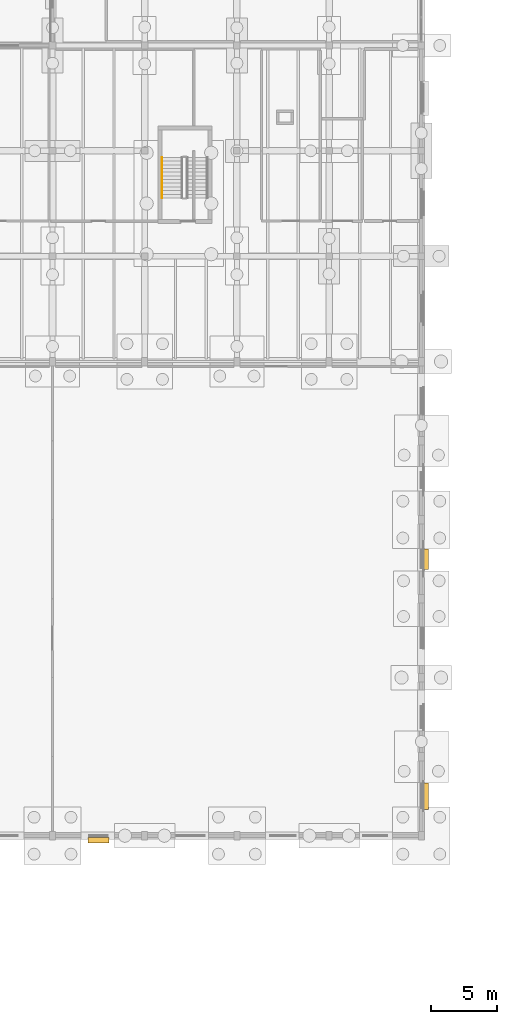
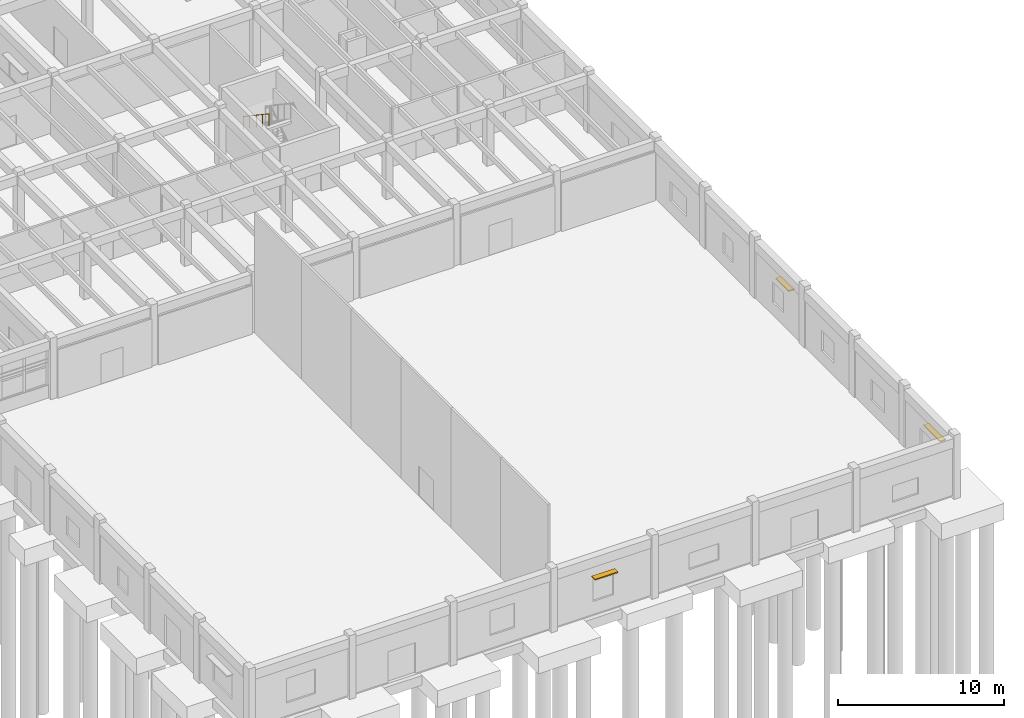
# One storey, part 94 of 99: 3 shading devices, 1 railing.
"""IFC4 building model written with IfcOpenShell, lengths in metres."""

import ifcopenshell
import ifcopenshell.guid

model = None  # the IFC model being written
_history = None  # IfcOwnerHistory: only IFC2X3 demands one
_inside = {}  # id of a spatial element -> (the spatial element, [elements in it])
_under = {}  # id of a project, library or spatial element -> (it, [spatial elements below it])
_declared = {}  # id of a project -> (the project, [libraries it declares])
_typed = {}  # id of a type object -> (the type object, [elements of that type])
_made_of = {}  # id of a material, layer set ... -> (it, [elements and type objects made of it])


def new_model(schema):
    """Start an empty IFC model of exactly this schema.

    Asked for "IFC4X3", IfcOpenShell would pick the latest addendum, in which some entities
    have other attributes; the version numbers below select the first issue.
    IFC2X3 requires an IfcOwnerHistory on every rooted entity: one is made here for all.
    """
    global model, _history
    if schema == "IFC4X3":
        model = ifcopenshell.file(schema_version=(4, 3, 0, 0))
    else:
        model = ifcopenshell.file(schema=schema)
    _inside.clear()
    _under.clear()
    _declared.clear()
    _typed.clear()
    _made_of.clear()
    _history = None
    if model.schema == "IFC2X3":
        org = make("IfcOrganization", Name="unknown")
        user = make(
            "IfcPersonAndOrganization",
            ThePerson=make("IfcPerson", FamilyName="unknown"),
            TheOrganization=org,
        )
        app = make(
            "IfcApplication",
            ApplicationDeveloper=org,
            Version="unknown",
            ApplicationFullName="unknown",
            ApplicationIdentifier="unknown",
        )
        _history = make(
            "IfcOwnerHistory",
            OwningUser=user,
            OwningApplication=app,
            ChangeAction="ADDED",
            CreationDate=0,
        )
    return model


def make(cls, **values):
    """One entity of the class cls with the attributes given. An attribute that is None is left unset."""
    return model.create_entity(
        cls, **{name: value for name, value in values.items() if value is not None}
    )


def rooted(cls, **values):
    """An entity with a GlobalId (a new one), such as an element, a storey or a relation."""
    return make(cls, GlobalId=ifcopenshell.guid.new(), OwnerHistory=_history, **values)


def si_unit(unit_type, name, prefix=None):
    """IfcSIUnit, for example si_unit("LENGTHUNIT", "METRE", prefix="MILLI")."""
    return make("IfcSIUnit", UnitType=unit_type, Prefix=prefix, Name=name)


def assignment(units):
    """IfcUnitAssignment: the units of a project."""
    return None if units is None else make("IfcUnitAssignment", Units=units)


def point(xyz):
    """IfcCartesianPoint."""
    return None if xyz is None else make("IfcCartesianPoint", Coordinates=xyz)


def direction(xyz):
    """IfcDirection."""
    return None if xyz is None else make("IfcDirection", DirectionRatios=xyz)


def frame(location, z_axis=None, x_axis=None):
    """IfcAxis2Placement3D, a coordinate frame: its origin and axes. An axis left out is left unset."""
    return make(
        "IfcAxis2Placement3D",
        Location=point(location),
        Axis=direction(z_axis),
        RefDirection=direction(x_axis),
    )


def frame_2d(location, x_axis=None):
    """IfcAxis2Placement2D, a coordinate frame in the plane: its origin and x axis."""
    return make(
        "IfcAxis2Placement2D", Location=point(location), RefDirection=direction(x_axis)
    )


def origin():
    """The frame at (0, 0, 0) with its axes left unset."""
    return frame((0.0, 0.0, 0.0))


def origin_2d():
    """The frame at (0, 0) in the plane with its x axis left unset."""
    return frame_2d((0.0, 0.0))


def place(relative_to, where):
    """IfcLocalPlacement: puts the frame where relative to a parent placement (None: the world)."""
    return make(
        "IfcLocalPlacement", PlacementRelTo=relative_to, RelativePlacement=where
    )


def context(
    kind, dimensions, precision=None, world=None, true_north=None, identifier=None
):
    """IfcGeometricRepresentationContext, for example the 3D "Model" context."""
    return make(
        "IfcGeometricRepresentationContext",
        ContextIdentifier=identifier,
        ContextType=kind,
        CoordinateSpaceDimension=dimensions,
        Precision=precision,
        WorldCoordinateSystem=world,
        TrueNorth=true_north,
    )


def subcontext(parent, identifier, kind, view, scale=None):
    """IfcGeometricRepresentationSubContext, for example "Body" below "Model"."""
    return make(
        "IfcGeometricRepresentationSubContext",
        ContextIdentifier=identifier,
        ContextType=kind,
        ParentContext=parent,
        TargetScale=scale,
        TargetView=view,
    )


def project(units=None, contexts=None):
    """IfcProject with its units and contexts."""
    return rooted(
        "IfcProject",
        Name="project",
        RepresentationContexts=contexts,
        UnitsInContext=assignment(units),
    )


def spatial(cls, under=None, at=None, **own):
    """A site, building, storey or space (cls), placed at a placement, below another one or the project."""
    s = rooted(cls, ObjectPlacement=at, **own)
    if under is not None:
        _under.setdefault(under.id(), (under, []))[1].append(s)
    return s


def profile(cls, at=None, kind="AREA", **sizes):
    """A parametric profile (cls). Its sizes go by their IFC names, for example OverallWidth=200.0."""
    return make(cls, ProfileType=kind, Position=at, **sizes)


def rectangle(**sizes):
    """IfcRectangleProfileDef."""
    return profile("IfcRectangleProfileDef", **sizes)


def circle(**sizes):
    """IfcCircleProfileDef."""
    return profile("IfcCircleProfileDef", **sizes)


def extrude(swept, where, along, depth):
    """IfcExtrudedAreaSolid: the profile swept, set in the frame where, extruded along a direction by depth."""
    return make(
        "IfcExtrudedAreaSolid",
        SweptArea=swept,
        Position=where,
        ExtrudedDirection=direction(along),
        Depth=depth,
    )


def shape(context_of_items, identifier, shape_type, items):
    """IfcShapeRepresentation: the items that make up one representation, for example the "Body"."""
    return make(
        "IfcShapeRepresentation",
        ContextOfItems=context_of_items,
        RepresentationIdentifier=identifier,
        RepresentationType=shape_type,
        Items=items,
    )


def material(Name=None, Category=None):
    """IfcMaterial."""
    return make("IfcMaterial", Name=Name, Category=Category)


def layer(
    of_material, thickness, ventilated=None, Name=None, Category=None, Priority=None
):
    """IfcMaterialLayer: one layer of a wall or slab, of a material (None: an air gap)."""
    return make(
        "IfcMaterialLayer",
        Material=of_material,
        LayerThickness=thickness,
        IsVentilated=ventilated,
        Name=Name,
        Category=Category,
        Priority=Priority,
    )


def layer_set(layers, Name=None):
    """IfcMaterialLayerSet."""
    return make("IfcMaterialLayerSet", MaterialLayers=layers, LayerSetName=Name)


def made_of(thing, what):
    """Note that an element or type object is made of a material, layer set ...; save() writes the relation."""
    if what is not None:
        _made_of.setdefault(what.id(), (what, []))[1].append(thing)
    return thing


def type_object(cls, material=None, **own):
    """A type object (cls), such as IfcWallType, which elements share."""
    return made_of(rooted(cls, **own), material)


def element(
    cls,
    number,
    at=None,
    inside=None,
    cuts=None,
    type_object=None,
    material=None,
    context=None,
    identifier="Body",
    shape_type=None,
    held_by="IfcProductDefinitionShape",
    body=None,
    shapes=None,
    **own,
):
    """One element of the class cls, such as IfcWall. Its Tag is "e" and its number.

    at: its placement. inside: the storey or other place that contains it. cuts: it is an
    opening in that element (IfcRelVoidsElement). A single representation is given by context,
    identifier, shape_type and body (its items); several are given by shapes. held_by: the class
    of the entity that holds the representations. save() writes the other relations.
    """
    e = rooted(cls, Tag="e%d" % number, ObjectPlacement=at, **own)
    if body is not None:
        shapes = [shape(context, identifier, shape_type, body)]
    if shapes is not None:
        e.Representation = make(held_by, Representations=shapes)
    if inside is not None:
        _inside.setdefault(inside.id(), (inside, []))[1].append(e)
    if cuts is not None:
        rooted(
            "IfcRelVoidsElement", RelatingBuildingElement=cuts, RelatedOpeningElement=e
        )
    if type_object is not None:
        _typed.setdefault(type_object.id(), (type_object, []))[1].append(e)
    return made_of(e, material)


def aggregate(whole, parts):
    """IfcRelAggregates: a whole, such as a stair, and the parts it consists of."""
    return rooted("IfcRelAggregates", RelatingObject=whole, RelatedObjects=parts)


def save(model, path):
    """Write the relations noted so far, then the file.

    IfcRelAggregates (storeys below a building ...), IfcRelContainedInSpatialStructure (elements
    in a storey), IfcRelDefinesByType, IfcRelAssociatesMaterial and IfcRelDeclares: one each for
    every whole, place, type object, material and project.
    """
    for whole, parts in _under.values():
        aggregate(whole, parts)
    for where, things in _inside.values():
        rooted(
            "IfcRelContainedInSpatialStructure",
            RelatedElements=things,
            RelatingStructure=where,
        )
    for kind, things in _typed.values():
        rooted("IfcRelDefinesByType", RelatedObjects=things, RelatingType=kind)
    for what, things in _made_of.values():
        rooted("IfcRelAssociatesMaterial", RelatedObjects=things, RelatingMaterial=what)
    for by, libraries in _declared.values():
        rooted("IfcRelDeclares", RelatingContext=by, RelatedDefinitions=libraries)
    model.write(path)


model = new_model("IFC4")

# Units and contexts
model_context = context("Model", 3, precision=1e-05, world=origin(), true_north=direction((0.0, 1.0)))
body_context = subcontext(model_context, "Body", "Model", "MODEL_VIEW")
ifc_project = project(units=[si_unit("LENGTHUNIT", "METRE"), si_unit("AREAUNIT", "SQUARE_METRE"), si_unit("VOLUMEUNIT", "CUBIC_METRE"), si_unit("PLANEANGLEUNIT", "RADIAN"), si_unit("MASSUNIT", "GRAM", prefix="KILO")], contexts=[model_context])

# Site, building, storey
site_placement = place(None, origin())
site = spatial("IfcSite", under=ifc_project, at=site_placement, CompositionType="ELEMENT")
building_placement = place(site_placement, origin())
building = spatial("IfcBuilding", under=site, at=building_placement, Name="Tonlespit Floodbar School", CompositionType="ELEMENT")
storey_placement = place(building_placement, origin())
storey = spatial("IfcBuildingStorey", under=building, at=storey_placement, Name="L00", CompositionType="ELEMENT", Elevation=0.0)

# Railing
ifc_material_1 = material(Name="Galvanised Steel", Category="steel")
railing_type = type_object("IfcRailingType", Name="Handrail_Int_920", PredefinedType="HANDRAIL", material=ifc_material_1)
railing_placement = place(storey_placement, frame((156.31005859375, 71.5, 2.4375)))
element("IfcRailing", 1, at=railing_placement, inside=storey, type_object=railing_type, Name="L00 ST-C5 stair handrail 2", PredefinedType="HANDRAIL", context=body_context, shape_type="SweptSolid", body=[
    extrude(circle(Radius=0.02392578125, at=origin_2d()), frame((0.0, 0.0, 0.89599609375), z_axis=(0.0, -0.830913701846, 0.55640131208), x_axis=(1.0, 0.0, 0.0)), (0.0, 0.0, 1.0), 3.706787109375),
    extrude(circle(Radius=0.02099609375, at=origin_2d()), origin(), (0.0, 0.0, 1.0), 0.871826171875),
    extrude(circle(Radius=0.02099609375, at=origin_2d()), frame((0.0, -0.77001953125, 0.515625)), (0.0, 0.0, 1.0), 0.871826171875),
    extrude(circle(Radius=0.02099609375, at=origin_2d()), frame((0.0, -1.5400390625, 1.03125)), (0.0, 0.0, 1.0), 0.871826171875),
    extrude(circle(Radius=0.02099609375, at=origin_2d()), frame((0.0, -2.31005859375, 1.546875)), (0.0, 0.0, 1.0), 0.871826171875),
    extrude(circle(Radius=0.02099609375, at=origin_2d()), frame((0.0, -3.080078125, 2.0625)), (0.0, 0.0, 1.0), 0.871826171875),
])

# Shading devices
ifc_material_2 = material(Name="Anodised Aluminium", Category="aluminium")
ifc_layer = layer(ifc_material_2, 0.080078125)
ifc_layer_set = layer_set([ifc_layer], Name="Anodised Aluminium")
shading_device_type = type_object("IfcShadingDeviceType", Name="Shading_MonsoonJalousie_400", PredefinedType="JALOUSIE", material=ifc_layer_set)
shading_device_1_placement = place(storey_placement, frame((151.5, 19.656982421875, 2.77001953125), z_axis=(0.0, 0.0, 1.0), x_axis=(-1.0, 0.0, 0.0)))
element("IfcShadingDevice", 2, at=shading_device_1_placement, inside=storey, type_object=shading_device_type, Name="L00 monsoon jalousie 185", PredefinedType="JALOUSIE", context=body_context, shape_type="SweptSolid", body=[
    extrude(rectangle(XDim=1.60009765625, YDim=0.39990234375, at=origin_2d()), origin(), (0.0, 0.0, 1.0), 0.080078125),
])
shading_device_2_placement = place(storey_placement, frame((176.343017578125, 41.0, 2.469970703125), z_axis=(0.0, 0.0, 1.0), x_axis=(0.0, -1.0, 0.0)))
element("IfcShadingDevice", 3, at=shading_device_2_placement, inside=storey, type_object=shading_device_type, Name="L00 monsoon jalousie 188", PredefinedType="JALOUSIE", context=body_context, shape_type="SweptSolid", body=[
    extrude(rectangle(XDim=1.550048828125, YDim=0.39990234375, at=origin_2d()), origin(), (0.0, 0.0, 1.0), 0.080078125),
])
shading_device_3_placement = place(storey_placement, frame((176.343017578125, 23.0, 2.469970703125), z_axis=(0.0, 0.0, 1.0), x_axis=(0.0, -1.0, 0.0)))
element("IfcShadingDevice", 4, at=shading_device_3_placement, inside=storey, type_object=shading_device_type, Name="L00 monsoon jalousie 189", PredefinedType="JALOUSIE", context=body_context, shape_type="SweptSolid", body=[
    extrude(rectangle(XDim=2.0, YDim=0.39990234375, at=origin_2d()), origin(), (0.0, 0.0, 1.0), 0.080078125),
])

save(model, "model.ifc")
